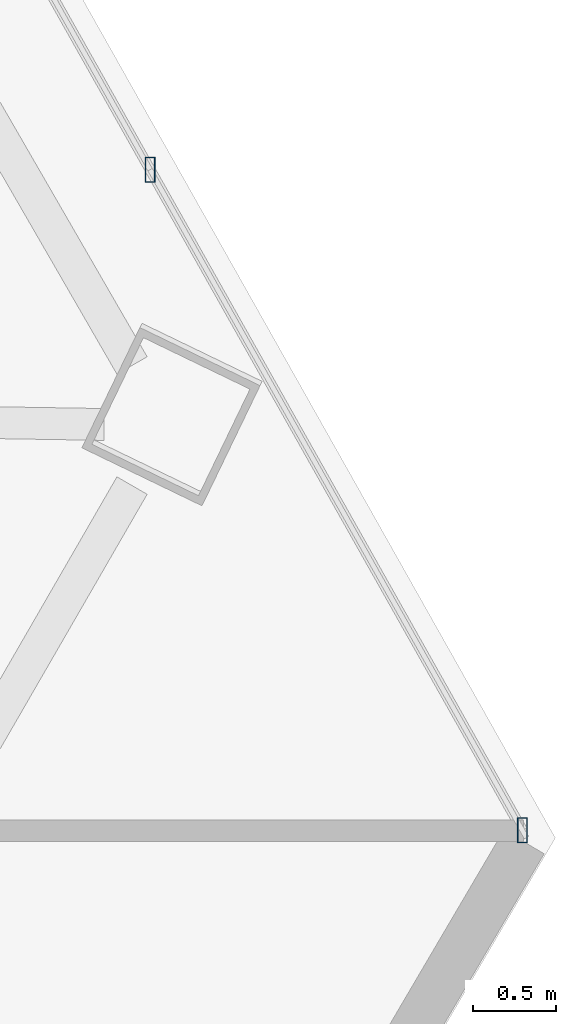
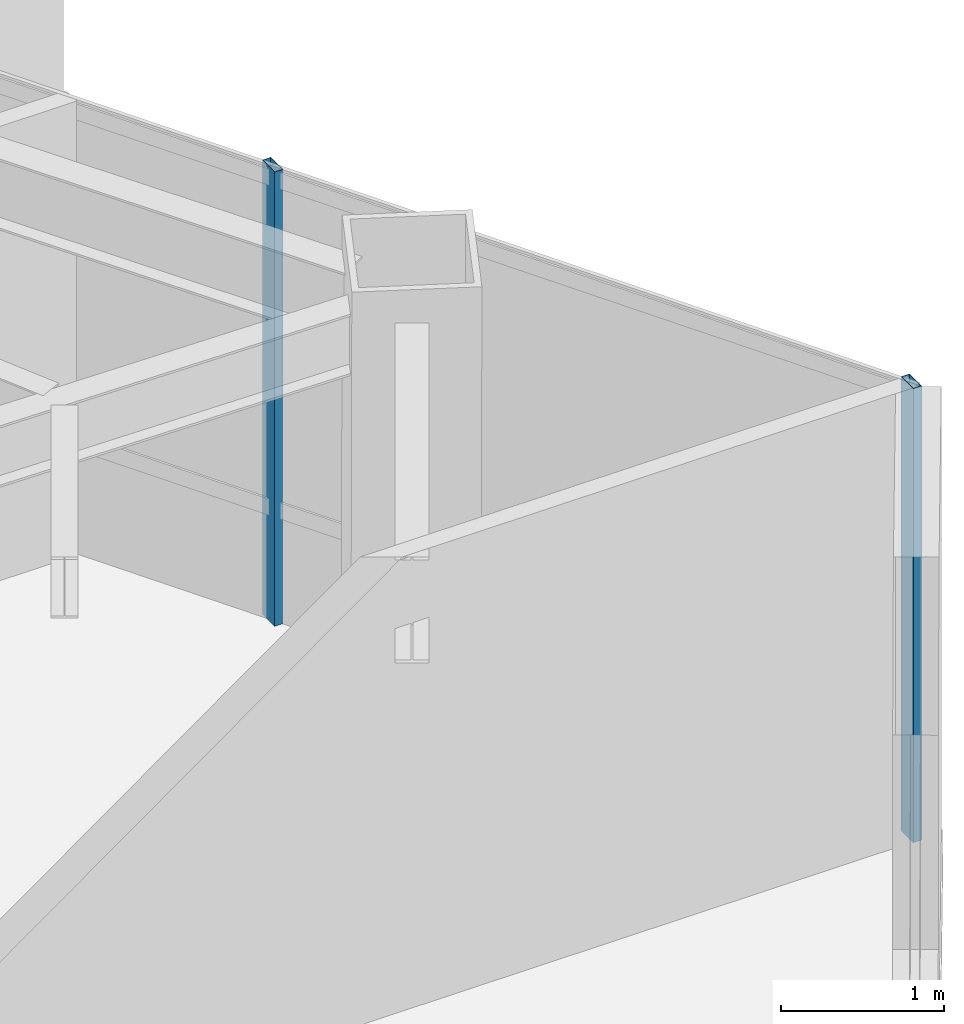
# One storey, part 22 of 44: 2 members, 1 element without a shape of its own.
"""IFC4 building model written with IfcOpenShell, lengths in metres."""

import ifcopenshell
import ifcopenshell.guid

model = None  # the IFC model being written
_history = None  # IfcOwnerHistory: only IFC2X3 demands one
_inside = {}  # id of a spatial element -> (the spatial element, [elements in it])
_under = {}  # id of a project, library or spatial element -> (it, [spatial elements below it])
_declared = {}  # id of a project -> (the project, [libraries it declares])
_typed = {}  # id of a type object -> (the type object, [elements of that type])
_made_of = {}  # id of a material, layer set ... -> (it, [elements and type objects made of it])


def new_model(schema):
    """Start an empty IFC model of exactly this schema.

    Asked for "IFC4X3", IfcOpenShell would pick the latest addendum, in which some entities
    have other attributes; the version numbers below select the first issue.
    IFC2X3 requires an IfcOwnerHistory on every rooted entity: one is made here for all.
    """
    global model, _history
    if schema == "IFC4X3":
        model = ifcopenshell.file(schema_version=(4, 3, 0, 0))
    else:
        model = ifcopenshell.file(schema=schema)
    _inside.clear()
    _under.clear()
    _declared.clear()
    _typed.clear()
    _made_of.clear()
    _history = None
    if model.schema == "IFC2X3":
        org = make("IfcOrganization", Name="unknown")
        user = make(
            "IfcPersonAndOrganization",
            ThePerson=make("IfcPerson", FamilyName="unknown"),
            TheOrganization=org,
        )
        app = make(
            "IfcApplication",
            ApplicationDeveloper=org,
            Version="unknown",
            ApplicationFullName="unknown",
            ApplicationIdentifier="unknown",
        )
        _history = make(
            "IfcOwnerHistory",
            OwningUser=user,
            OwningApplication=app,
            ChangeAction="ADDED",
            CreationDate=0,
        )
    return model


def make(cls, **values):
    """One entity of the class cls with the attributes given. An attribute that is None is left unset."""
    return model.create_entity(
        cls, **{name: value for name, value in values.items() if value is not None}
    )


def rooted(cls, **values):
    """An entity with a GlobalId (a new one), such as an element, a storey or a relation."""
    return make(cls, GlobalId=ifcopenshell.guid.new(), OwnerHistory=_history, **values)


def si_unit(unit_type, name, prefix=None):
    """IfcSIUnit, for example si_unit("LENGTHUNIT", "METRE", prefix="MILLI")."""
    return make("IfcSIUnit", UnitType=unit_type, Prefix=prefix, Name=name)


def assignment(units):
    """IfcUnitAssignment: the units of a project."""
    return None if units is None else make("IfcUnitAssignment", Units=units)


def point(xyz):
    """IfcCartesianPoint."""
    return None if xyz is None else make("IfcCartesianPoint", Coordinates=xyz)


def direction(xyz):
    """IfcDirection."""
    return None if xyz is None else make("IfcDirection", DirectionRatios=xyz)


def frame(location, z_axis=None, x_axis=None):
    """IfcAxis2Placement3D, a coordinate frame: its origin and axes. An axis left out is left unset."""
    return make(
        "IfcAxis2Placement3D",
        Location=point(location),
        Axis=direction(z_axis),
        RefDirection=direction(x_axis),
    )


def frame_2d(location, x_axis=None):
    """IfcAxis2Placement2D, a coordinate frame in the plane: its origin and x axis."""
    return make(
        "IfcAxis2Placement2D", Location=point(location), RefDirection=direction(x_axis)
    )


def origin():
    """The frame at (0, 0, 0) with its axes left unset."""
    return frame((0.0, 0.0, 0.0))


def origin_2d():
    """The frame at (0, 0) in the plane with its x axis left unset."""
    return frame_2d((0.0, 0.0))


def place(relative_to, where):
    """IfcLocalPlacement: puts the frame where relative to a parent placement (None: the world)."""
    return make(
        "IfcLocalPlacement", PlacementRelTo=relative_to, RelativePlacement=where
    )


def context(
    kind, dimensions, precision=None, world=None, true_north=None, identifier=None
):
    """IfcGeometricRepresentationContext, for example the 3D "Model" context."""
    return make(
        "IfcGeometricRepresentationContext",
        ContextIdentifier=identifier,
        ContextType=kind,
        CoordinateSpaceDimension=dimensions,
        Precision=precision,
        WorldCoordinateSystem=world,
        TrueNorth=true_north,
    )


def subcontext(parent, identifier, kind, view, scale=None):
    """IfcGeometricRepresentationSubContext, for example "Body" below "Model"."""
    return make(
        "IfcGeometricRepresentationSubContext",
        ContextIdentifier=identifier,
        ContextType=kind,
        ParentContext=parent,
        TargetScale=scale,
        TargetView=view,
    )


def project(units=None, contexts=None):
    """IfcProject with its units and contexts."""
    return rooted(
        "IfcProject",
        Name="project",
        RepresentationContexts=contexts,
        UnitsInContext=assignment(units),
    )


def spatial(cls, under=None, at=None, **own):
    """A site, building, storey or space (cls), placed at a placement, below another one or the project."""
    s = rooted(cls, ObjectPlacement=at, **own)
    if under is not None:
        _under.setdefault(under.id(), (under, []))[1].append(s)
    return s


def profile(cls, at=None, kind="AREA", **sizes):
    """A parametric profile (cls). Its sizes go by their IFC names, for example OverallWidth=200.0."""
    return make(cls, ProfileType=kind, Position=at, **sizes)


def hollow_rectangle(**sizes):
    """IfcRectangleHollowProfileDef."""
    return profile("IfcRectangleHollowProfileDef", **sizes)


def extrude(swept, where, along, depth):
    """IfcExtrudedAreaSolid: the profile swept, set in the frame where, extruded along a direction by depth."""
    return make(
        "IfcExtrudedAreaSolid",
        SweptArea=swept,
        Position=where,
        ExtrudedDirection=direction(along),
        Depth=depth,
    )


def shape(context_of_items, identifier, shape_type, items):
    """IfcShapeRepresentation: the items that make up one representation, for example the "Body"."""
    return make(
        "IfcShapeRepresentation",
        ContextOfItems=context_of_items,
        RepresentationIdentifier=identifier,
        RepresentationType=shape_type,
        Items=items,
    )


def source(mapping_origin, context_of_items, identifier, shape_type, items):
    """IfcRepresentationMap: a shape defined once, which mapped items show again and again."""
    return make(
        "IfcRepresentationMap",
        MappingOrigin=mapping_origin,
        MappedRepresentation=shape(context_of_items, identifier, shape_type, items),
    )


def transform(
    local_origin,
    x_axis=None,
    y_axis=None,
    z_axis=None,
    scale=None,
    scale2=None,
    scale3=None,
    uniform=True,
):
    """IfcCartesianTransformationOperator3D, or its non-uniform kind. x_axis, y_axis, z_axis: its Axis1, 2, 3."""
    if uniform:
        return make(
            "IfcCartesianTransformationOperator3D",
            Axis1=direction(x_axis),
            Axis2=direction(y_axis),
            LocalOrigin=point(local_origin),
            Scale=scale,
            Axis3=direction(z_axis),
        )
    return make(
        "IfcCartesianTransformationOperator3DnonUniform",
        Axis1=direction(x_axis),
        Axis2=direction(y_axis),
        LocalOrigin=point(local_origin),
        Scale=scale,
        Axis3=direction(z_axis),
        Scale2=scale2,
        Scale3=scale3,
    )


def mapped(mapping_source, mapping_target):
    """IfcMappedItem: shows the shape of a source again, moved by a transform."""
    return make(
        "IfcMappedItem", MappingSource=mapping_source, MappingTarget=mapping_target
    )


def material(Name=None, Category=None):
    """IfcMaterial."""
    return make("IfcMaterial", Name=Name, Category=Category)


def material_profile(
    of_material, cross_section, Name=None, Category=None, Priority=None
):
    """IfcMaterialProfile: a cross section and its material."""
    return make(
        "IfcMaterialProfile",
        Name=Name,
        Material=of_material,
        Profile=cross_section,
        Priority=Priority,
        Category=Category,
    )


def profile_set(profiles, Name=None, composite=None):
    """IfcMaterialProfileSet."""
    return make(
        "IfcMaterialProfileSet",
        Name=Name,
        MaterialProfiles=profiles,
        CompositeProfile=composite,
    )


def made_of(thing, what):
    """Note that an element or type object is made of a material, layer set ...; save() writes the relation."""
    if what is not None:
        _made_of.setdefault(what.id(), (what, []))[1].append(thing)
    return thing


def type_object(cls, material=None, **own):
    """A type object (cls), such as IfcWallType, which elements share."""
    return made_of(rooted(cls, **own), material)


def type_shapes(of_type, sources):
    """Give a type object the sources (RepresentationMaps) that its elements show as mapped items."""
    of_type.RepresentationMaps = sources


def element(
    cls,
    number,
    at=None,
    inside=None,
    cuts=None,
    type_object=None,
    material=None,
    context=None,
    identifier="Body",
    shape_type=None,
    held_by="IfcProductDefinitionShape",
    body=None,
    shapes=None,
    **own,
):
    """One element of the class cls, such as IfcWall. Its Tag is "e" and its number.

    at: its placement. inside: the storey or other place that contains it. cuts: it is an
    opening in that element (IfcRelVoidsElement). A single representation is given by context,
    identifier, shape_type and body (its items); several are given by shapes. held_by: the class
    of the entity that holds the representations. save() writes the other relations.
    """
    e = rooted(cls, Tag="e%d" % number, ObjectPlacement=at, **own)
    if body is not None:
        shapes = [shape(context, identifier, shape_type, body)]
    if shapes is not None:
        e.Representation = make(held_by, Representations=shapes)
    if inside is not None:
        _inside.setdefault(inside.id(), (inside, []))[1].append(e)
    if cuts is not None:
        rooted(
            "IfcRelVoidsElement", RelatingBuildingElement=cuts, RelatedOpeningElement=e
        )
    if type_object is not None:
        _typed.setdefault(type_object.id(), (type_object, []))[1].append(e)
    return made_of(e, material)


def aggregate(whole, parts):
    """IfcRelAggregates: a whole, such as a stair, and the parts it consists of."""
    return rooted("IfcRelAggregates", RelatingObject=whole, RelatedObjects=parts)


def save(model, path):
    """Write the relations noted so far, then the file.

    IfcRelAggregates (storeys below a building ...), IfcRelContainedInSpatialStructure (elements
    in a storey), IfcRelDefinesByType, IfcRelAssociatesMaterial and IfcRelDeclares: one each for
    every whole, place, type object, material and project.
    """
    for whole, parts in _under.values():
        aggregate(whole, parts)
    for where, things in _inside.values():
        rooted(
            "IfcRelContainedInSpatialStructure",
            RelatedElements=things,
            RelatingStructure=where,
        )
    for kind, things in _typed.values():
        rooted("IfcRelDefinesByType", RelatedObjects=things, RelatingType=kind)
    for what, things in _made_of.values():
        rooted("IfcRelAssociatesMaterial", RelatedObjects=things, RelatingMaterial=what)
    for by, libraries in _declared.values():
        rooted("IfcRelDeclares", RelatingContext=by, RelatedDefinitions=libraries)
    model.write(path)


model = new_model("IFC4")

# Units and contexts
model_context = context("Model", 3, precision=1e-05, world=origin(), true_north=direction((0.0, 1.0)))
body_context = subcontext(model_context, "Body", "Model", "MODEL_VIEW")
ifc_project = project(units=[si_unit("LENGTHUNIT", "METRE"), si_unit("AREAUNIT", "SQUARE_METRE"), si_unit("VOLUMEUNIT", "CUBIC_METRE"), si_unit("PLANEANGLEUNIT", "RADIAN"), si_unit("MASSUNIT", "GRAM", prefix="KILO")], contexts=[model_context])

# Site, building, storey
site_placement = place(None, origin())
site = spatial("IfcSite", under=ifc_project, at=site_placement, CompositionType="ELEMENT")
building_placement = place(site_placement, origin())
building = spatial("IfcBuilding", under=site, at=building_placement, Name="Caelisora Broadcast Tower", CompositionType="ELEMENT")
storey_placement = place(building_placement, frame((0.0, 0.0, 198.64990234375)))
storey = spatial("IfcBuildingStorey", under=building, at=storey_placement, Name="L52", CompositionType="ELEMENT", Elevation=198.64990234375)

# Curtain wall, members
ifc_material_1 = material(Name="Unitised Aluminium and Low-E Glass Curtain Wall", Category="glass")
curtain_wall_type = type_object("IfcCurtainWallType", Name="CW-Z4", PredefinedType="NOTDEFINED", material=ifc_material_1)
curtain_wall_placement = place(storey_placement, origin())
curtain_wall = element("IfcCurtainWall", 1, at=curtain_wall_placement, inside=storey, type_object=curtain_wall_type, Name="L52 curtain wall CW-Z4", PredefinedType="NOTDEFINED")
ifc_material_2 = material(Name="Aluminium 6063-T6 Anodised Terracotta Bronze", Category="aluminium")
ifc_material_profile = material_profile(ifc_material_2, hollow_rectangle(XDim=0.06005859375, YDim=0.14990234375, WallThickness=0.00341796875, at=origin_2d()), Name="Aluminium 6063-T6 Anodised Terracotta Bronze")
ifc_profile_set = profile_set([ifc_material_profile], Name="Aluminium 6063-T6 Anodised Terracotta Bronze")
member_type = type_object("IfcMemberType", Name="CWM-03", PredefinedType="MULLION", material=ifc_profile_set)
shared_shape = source(origin(), body_context, "Body", "SweptSolid", [
    extrude(hollow_rectangle(XDim=0.06005859375, YDim=0.14990234375, WallThickness=0.00341796875, at=origin_2d()), origin(), (0.0, 0.0, 1.0), 3.400146484375),
])
type_shapes(member_type, [shared_shape])
member_1_placement = place(storey_placement, frame((60.023681640625, 18.695068359375, 0.0), z_axis=(0.0, 0.0, 1.0), x_axis=(1.0, 0.0, 0.0)))
member_1 = element("IfcMember", 2, at=member_1_placement, type_object=member_type, Name="L52-CW-B03 mullion #2", PredefinedType="MULLION", context=body_context, shape_type="MappedRepresentation", body=[
    mapped(shared_shape, transform((0.0, 0.0, 0.0), scale=1.0)),
])
member_2_placement = place(storey_placement, frame((62.257568359375, 14.731689453125, 0.0), z_axis=(0.0, 0.0, 1.0), x_axis=(1.0, 0.0, 0.0)))
member_2 = element("IfcMember", 3, at=member_2_placement, type_object=member_type, Name="L52-CW-B03 mullion #3", PredefinedType="MULLION", context=body_context, shape_type="MappedRepresentation", body=[
    mapped(shared_shape, transform((0.0, 0.0, 0.0), scale=1.0)),
])
aggregate(curtain_wall, [member_1, member_2])

save(model, "model.ifc")
